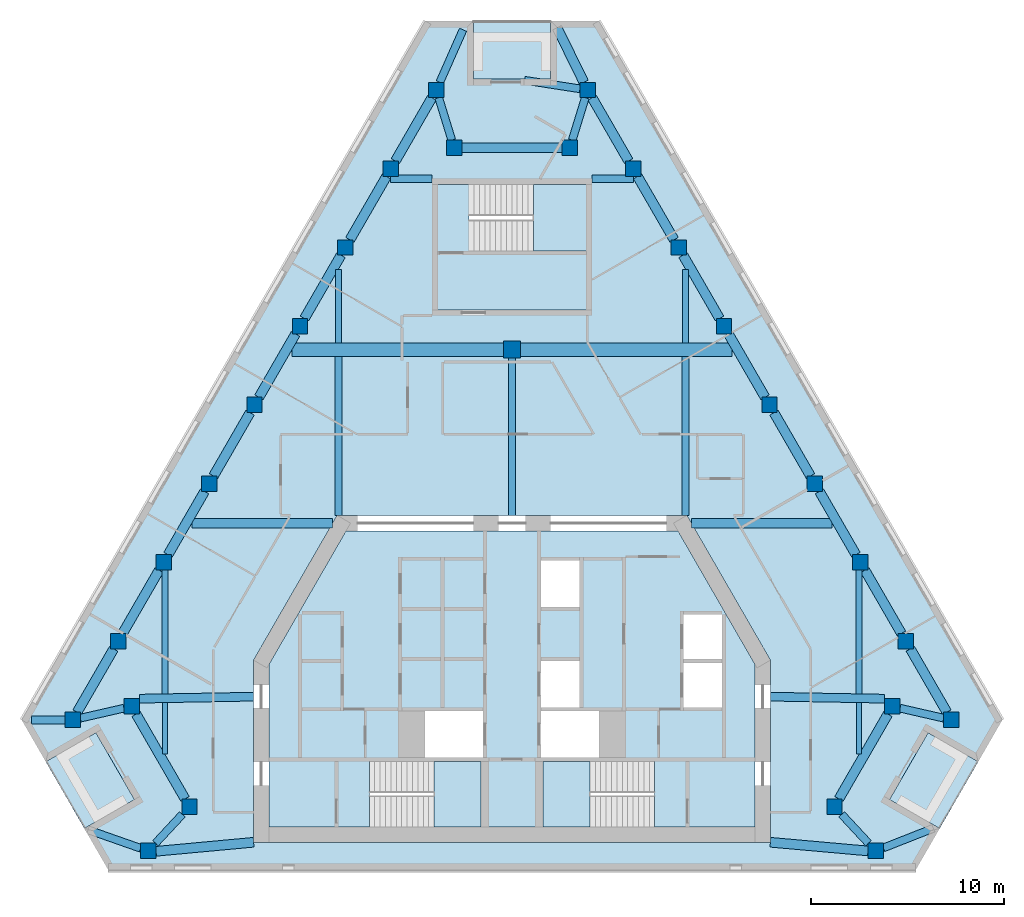
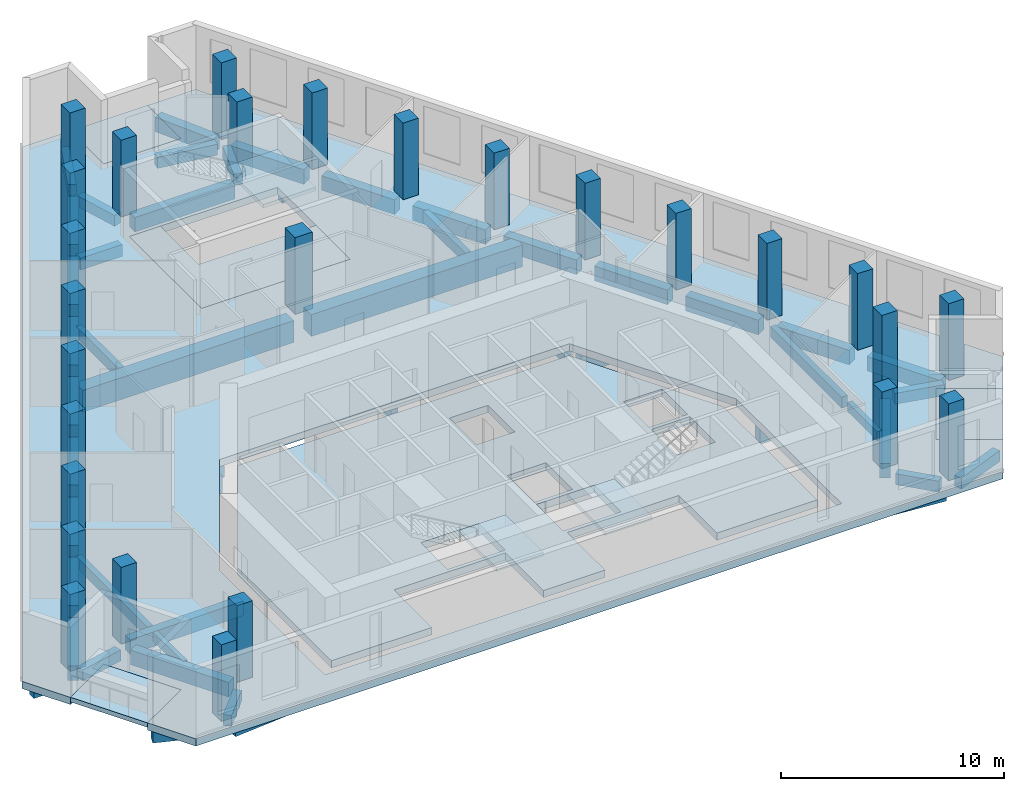
# One storey, part 1 of 9: 50 beams, 27 columns, 9 slabs, 3 elements without a shape of their own.
"""IFC4 building model written with IfcOpenShell, lengths in metres."""

from ifc_helpers import new_model, si_unit, direction, frame, origin, origin_2d, place, context, subcontext, project, spatial, polyline, rectangle, outline, extrude, material, layer, layer_set, material_profile, profile_set, type_object, element, aggregate, save


model = new_model("IFC4")

# Units and contexts
model_context = context("Model", 3, precision=1e-05, world=origin(), true_north=direction((0.0, 1.0)))
body_context = subcontext(model_context, "Body", "Model", "MODEL_VIEW")
ifc_project = project(units=[si_unit("LENGTHUNIT", "METRE"), si_unit("AREAUNIT", "SQUARE_METRE"), si_unit("VOLUMEUNIT", "CUBIC_METRE"), si_unit("PLANEANGLEUNIT", "RADIAN"), si_unit("MASSUNIT", "GRAM", prefix="KILO")], contexts=[model_context])

# Site, building, storey
site_placement = place(None, origin())
site = spatial("IfcSite", under=ifc_project, at=site_placement, CompositionType="ELEMENT")
building_placement = place(site_placement, origin())
building = spatial("IfcBuilding", under=site, at=building_placement, Name="Fogline Exchange Tower", CompositionType="ELEMENT")
storey_placement = place(building_placement, frame((0.0, 0.0, 283.5)))
storey = spatial("IfcBuildingStorey", under=building, at=storey_placement, Name="L64", CompositionType="ELEMENT", Elevation=283.5)

# Columns
ifc_material_1 = material(Name="Concrete C60", Category="concrete")
ifc_material_profile_1 = material_profile(ifc_material_1, rectangle(XDim=0.89990234375, YDim=0.89990234375, at=origin_2d()), Name="RC 900x900")
ifc_profile_set_1 = profile_set([ifc_material_profile_1], Name="Concrete C60")
column_type_1 = type_object("IfcColumnType", Name="C06", PredefinedType="COLUMN", material=ifc_profile_set_1)
column_placement = place(storey_placement, frame((0.0, 27.0, 0.0), z_axis=(0.0, 0.0, 1.0), x_axis=(1.0, 0.0, 0.0)))
element("IfcColumn", 1, at=column_placement, inside=storey, type_object=column_type_1, Name="IC-0-27", PredefinedType="COLUMN", context=body_context, shape_type="SweptSolid", body=[
    extrude(rectangle(XDim=0.89990234375, YDim=0.89990234375, at=origin_2d()), origin(), (0.0, 0.0, 1.0), 4.199951171875),
])
ifc_material_profile_2 = material_profile(ifc_material_1, rectangle(XDim=0.800048828125, YDim=0.800048828125, at=origin_2d()), Name="RC 800x800")
ifc_profile_set_2 = profile_set([ifc_material_profile_2], Name="Concrete C60")
column_type_2 = type_object("IfcColumnType", Name="C07", PredefinedType="COLUMN", material=ifc_profile_set_2)
for number, where, z_axis, x_axis, name in (
    (2, (-22.7802734375, 7.794189453125, 0.0), (0.0, 0.0, 1.0), (1.0, 0.0, 0.0), "SW-a"),
    (3, (-19.720947265625, 8.4951171875, 0.0), (0.0, 0.0, 1.0), (1.0, 0.0, 0.0), "SW-p4"),
    (4, (-16.720947265625, 3.299072265625, 0.0), (0.0, 0.0, 1.0), (1.0, 0.0, 0.0), "SW-p3"),
    (5, (-18.857666015625, 1.0, 0.0), (0.0, 0.0, 1.0), (1.0, 0.0, 0.0), "SW-b"),
    (6, (18.857666015625, 1.0, 0.0), (0.0, 0.0, 1.0), (1.0, 0.0, 0.0), "SE-a"),
    (7, (16.720947265625, 3.299072265625, 0.0), (0.0, 0.0, 1.0), (1.0, 0.0, 0.0), "SE-p4"),
    (8, (19.720947265625, 8.4951171875, 0.0), (0.0, 0.0, 1.0), (1.0, 0.0, 0.0), "SE-p3"),
    (9, (22.7802734375, 7.794189453125, 0.0), (0.0, 0.0, 1.0), (1.0, 0.0, 0.0), "SE-b"),
    (10, (20.423095703125, 11.876953125, 0.0), (0.0, 0.0, 1.0), (1.0, 0.0, 0.0), "E1"),
    (11, (18.06591796875, 15.959716796875, 0.0), (0.0, 0.0, 1.0), (1.0, 0.0, 0.0), "E2"),
    (12, (15.708740234375, 20.04248046875, 0.0), (0.0, 0.0, 1.0), (1.0, 0.0, 0.0), "E3"),
    (13, (13.3515625, 24.12548828125, 0.0), (0.0, 0.0, 1.0), (1.0, 0.0, 0.0), "E4"),
    (14, (10.994384765625, 28.208251953125, 0.0), (0.0, 0.0, 1.0), (1.0, 0.0, 0.0), "E5"),
    (15, (8.63720703125, 32.291015625, 0.0), (0.0, 0.0, 1.0), (1.0, 0.0, 0.0), "E6"),
    (16, (6.27978515625, 36.373779296875, 0.0), (0.0, 0.0, 1.0), (1.0, 0.0, 0.0), "E7"),
    (17, (3.922607421875, 40.456787109375, 0.0), (0.0, 0.0, 1.0), (1.0, 0.0, 0.0), "N-a"),
    (18, (3.0, 37.456787109375, 0.0), (0.0, 0.0, 1.0), (1.0, 0.0, 0.0), "N-p4"),
    (19, (-3.0, 37.456787109375, 0.0), (0.0, 0.0, 1.0), (1.0, 0.0, 0.0), "N-p3"),
    (20, (-3.922607421875, 40.456787109375, 0.0), (0.0, 0.0, 1.0), (1.0, 0.0, 0.0), "N-b"),
    (21, (-6.27978515625, 36.373779296875, 0.0), (0.0, 0.0, 1.0), (1.0, 0.0, 0.0), "W1"),
    (22, (-8.63720703125, 32.291015625, 0.0), (0.0, 0.0, 1.0), (1.0, 0.0, 0.0), "W2"),
    (23, (-10.994384765625, 28.208251953125, 0.0), (0.0, 0.0, 1.0), (1.0, 0.0, 0.0), "W3"),
    (24, (-13.3515625, 24.12548828125, 0.0), (0.0, 0.0, 1.0), (1.0, 0.0, 0.0), "W4"),
    (25, (-15.708740234375, 20.04248046875, 0.0), (0.0, 0.0, 1.0), (1.0, 0.0, 0.0), "W5"),
    (26, (-18.06591796875, 15.959716796875, 0.0), (0.0, 0.0, 1.0), (1.0, 0.0, 0.0), "W6"),
    (27, (-20.423095703125, 11.876953125, 0.0), (0.0, 0.0, 1.0), (1.0, 0.0, 0.0), "W7"),
):
    element("IfcColumn", number, at=place(storey_placement, frame(where, z_axis=z_axis, x_axis=x_axis)), inside=storey, type_object=column_type_2, Name=name, PredefinedType="COLUMN", context=body_context, shape_type="SweptSolid", body=[
        extrude(rectangle(XDim=0.800048828125, YDim=0.800048828125, at=origin_2d()), origin(), (0.0, 0.0, 1.0), 4.199951171875),
    ])

# Beams
ifc_material_2 = material(Name="Concrete C40", Category="concrete")
ifc_material_profile_3 = material_profile(ifc_material_2, rectangle(XDim=0.300048828125, YDim=0.60009765625, at=origin_2d()), Name="RC 300x600")
ifc_profile_set_3 = profile_set([ifc_material_profile_3], Name="Concrete C40")
beam_type_1 = type_object("IfcBeamType", Name="B06", PredefinedType="BEAM", material=ifc_profile_set_3)
beam_1_placement = place(storey_placement, frame((-18.0, 9.1435546875, -0.699951171875), z_axis=(0.0, 1.0, 0.0), x_axis=(-1.0, 0.0, 0.0)))
element("IfcBeam", 28, at=beam_1_placement, inside=storey, type_object=beam_type_1, Name="SB002", PredefinedType="BEAM", context=body_context, shape_type="SweptSolid", body=[
    extrude(rectangle(XDim=0.300048828125, YDim=0.60009765625, at=origin_2d()), origin(), (0.0, 0.0, 1.0), 6.416259765625),
])
for number, where, z_axis, x_axis, name in (
    (29, (-9.0, 27.35009765625, -0.699951171875), (0.0, 1.0, 0.0), (-1.0, 0.0, 0.0), "SB004"),
    (30, (9.0, 27.35009765625, -0.699951171875), (0.0, 1.0, 0.0), (-1.0, 0.0, 0.0), "SB007"),
):
    element("IfcBeam", number, at=place(storey_placement, frame(where, z_axis=z_axis, x_axis=x_axis)), inside=storey, type_object=beam_type_1, Name=name, PredefinedType="BEAM", context=body_context, shape_type="SweptSolid", body=[
        extrude(rectangle(XDim=0.300048828125, YDim=0.60009765625, at=origin_2d()), origin(), (0.0, 0.0, 1.0), 3.812255859375),
    ])
beam_2_placement = place(storey_placement, frame((18.0, 9.1435546875, -0.699951171875), z_axis=(0.0, 1.0, 0.0), x_axis=(-1.0, 0.0, 0.0)))
element("IfcBeam", 31, at=beam_2_placement, inside=storey, type_object=beam_type_1, Name="SB009", PredefinedType="BEAM", context=body_context, shape_type="SweptSolid", body=[
    extrude(rectangle(XDim=0.300048828125, YDim=0.60009765625, at=origin_2d()), origin(), (0.0, 0.0, 1.0), 6.416259765625),
])
ifc_material_profile_4 = material_profile(ifc_material_2, rectangle(XDim=0.25, YDim=0.5, at=origin_2d()), Name="RC 250x500")
ifc_profile_set_4 = profile_set([ifc_material_profile_4], Name="Concrete C40")
beam_type_2 = type_object("IfcBeamType", Name="B08", PredefinedType="BEAM", material=ifc_profile_set_4)
for number, where, z_axis, x_axis, name in (
    (32, (-18.0, 6.014404296875, -0.64990234375), (0.0, 1.0, 0.0), (-1.0, 0.0, 0.0), "SB001"),
    (33, (18.0, 6.014404296875, -0.64990234375), (0.0, 1.0, 0.0), (-1.0, 0.0, 0.0), "SB008"),
):
    element("IfcBeam", number, at=place(storey_placement, frame(where, z_axis=z_axis, x_axis=x_axis)), inside=storey, type_object=beam_type_2, Name=name, PredefinedType="BEAM", context=body_context, shape_type="SweptSolid", body=[
        extrude(rectangle(XDim=0.25, YDim=0.5, at=origin_2d()), origin(), (0.0, 0.0, 1.0), 2.67919921875),
    ])
ifc_material_profile_5 = material_profile(ifc_material_2, rectangle(XDim=0.5, YDim=0.800048828125, at=origin_2d()), Name="RC 500x800")
ifc_profile_set_5 = profile_set([ifc_material_profile_5], Name="Concrete C40")
beam_type_3 = type_object("IfcBeamType", Name="B10", PredefinedType="BEAM", material=ifc_profile_set_5)
beam_3_placement = place(storey_placement, frame((-19.489990234375, 8.09521484375, -0.800048828125), z_axis=(0.499987508774, -0.866032615477, 0.0), x_axis=(0.866032615477, 0.499987508774, 0.0)))
element("IfcBeam", 34, at=beam_3_placement, inside=storey, type_object=beam_type_3, Name="RB002", PredefinedType="BEAM", context=body_context, shape_type="SweptSolid", body=[
    extrude(rectangle(XDim=0.5, YDim=0.800048828125, at=origin_2d()), origin(), (0.0, 0.0, 1.0), 5.076416015625),
])
beam_4_placement = place(storey_placement, frame((-18.457763671875, 0.981689453125, -0.800048828125), z_axis=(0.995741736268, 0.092186737952, 0.0), x_axis=(-0.092186737952, 0.995741736268, 0.0)))
element("IfcBeam", 35, at=beam_4_placement, inside=storey, type_object=beam_type_3, Name="RB004", PredefinedType="BEAM", context=body_context, shape_type="SweptSolid", body=[
    extrude(rectangle(XDim=0.5, YDim=0.800048828125, at=origin_2d()), origin(), (0.0, 0.0, 1.0), 5.07958984375),
])
beam_5_placement = place(storey_placement, frame((13.39990234375, 1.449951171875, -0.800048828125), z_axis=(0.996066324908, -0.088610814153, 0.0), x_axis=(0.088610814153, 0.996066324908, 0.0)))
element("IfcBeam", 36, at=beam_5_placement, inside=storey, type_object=beam_type_3, Name="RB005", PredefinedType="BEAM", context=body_context, shape_type="SweptSolid", body=[
    extrude(rectangle(XDim=0.5, YDim=0.800048828125, at=origin_2d()), origin(), (0.0, 0.0, 1.0), 5.077880859375),
])
beam_6_placement = place(storey_placement, frame((16.951904296875, 3.698974609375, -0.800048828125), z_axis=(0.499987508774, 0.866032615477, 0.0), x_axis=(-0.866032615477, 0.499987508774, 0.0)))
element("IfcBeam", 37, at=beam_6_placement, inside=storey, type_object=beam_type_3, Name="RB007", PredefinedType="BEAM", context=body_context, shape_type="SweptSolid", body=[
    extrude(rectangle(XDim=0.5, YDim=0.800048828125, at=origin_2d()), origin(), (0.0, 0.0, 1.0), 5.076416015625),
])
beam_7_placement = place(storey_placement, frame((22.54931640625, 8.194091796875, -0.800048828125), z_axis=(-0.499969613651, 0.86604294664, 0.0), x_axis=(-0.86604294664, -0.499969613651, 0.0)))
element("IfcBeam", 38, at=beam_7_placement, inside=storey, type_object=beam_type_3, Name="RB009", PredefinedType="BEAM", context=body_context, shape_type="SweptSolid", body=[
    extrude(rectangle(XDim=0.5, YDim=0.800048828125, at=origin_2d()), origin(), (0.0, 0.0, 1.0), 3.790771484375),
])
for number, where, z_axis, x_axis, name in (
    (39, (20.192138671875, 12.277099609375, -0.800048828125), (-0.499997501644, 0.866026846206, 0.0), (-0.866026846206, -0.499997501644, 0.0), "RB010"),
    (40, (17.8349609375, 16.35986328125, -0.800048828125), (-0.499997501644, 0.866026846206, 0.0), (-0.866026846206, -0.499997501644, 0.0), "RB011"),
    (41, (15.477783203125, 20.442626953125, -0.800048828125), (-0.499997501644, 0.866026846206, 0.0), (-0.866026846206, -0.499997501644, 0.0), "RB012"),
):
    element("IfcBeam", number, at=place(storey_placement, frame(where, z_axis=z_axis, x_axis=x_axis)), inside=storey, type_object=beam_type_3, Name=name, PredefinedType="BEAM", context=body_context, shape_type="SweptSolid", body=[
        extrude(rectangle(XDim=0.5, YDim=0.800048828125, at=origin_2d()), origin(), (0.0, 0.0, 1.0), 3.79052734375),
    ])
for number, where, z_axis, x_axis, name in (
    (42, (13.12060546875, 24.525390625, -0.800048828125), (-0.500045805297, 0.865998956469, 0.0), (-0.865998956469, -0.500045805297, 0.0), "RB013"),
    (43, (10.76318359375, 28.608154296875, -0.800048828125), (-0.499969613651, 0.86604294664, 0.0), (-0.86604294664, -0.499969613651, 0.0), "RB014"),
    (44, (8.406005859375, 32.69091796875, -0.800048828125), (-0.499969613651, 0.86604294664, 0.0), (-0.86604294664, -0.499969613651, 0.0), "RB015"),
    (45, (6.048828125, 36.773681640625, -0.800048828125), (-0.499969613651, 0.86604294664, 0.0), (-0.86604294664, -0.499969613651, 0.0), "RB016"),
):
    element("IfcBeam", number, at=place(storey_placement, frame(where, z_axis=z_axis, x_axis=x_axis)), inside=storey, type_object=beam_type_3, Name=name, PredefinedType="BEAM", context=body_context, shape_type="SweptSolid", body=[
        extrude(rectangle(XDim=0.5, YDim=0.800048828125, at=origin_2d()), origin(), (0.0, 0.0, 1.0), 3.790771484375),
    ])
beam_8_placement = place(storey_placement, frame((2.60009765625, 37.456787109375, -0.800048828125), z_axis=(-1.0, 0.0, 0.0), x_axis=(0.0, -1.0, 0.0)))
element("IfcBeam", 46, at=beam_8_placement, inside=storey, type_object=beam_type_3, Name="RB018", PredefinedType="BEAM", context=body_context, shape_type="SweptSolid", body=[
    extrude(rectangle(XDim=0.5, YDim=0.800048828125, at=origin_2d()), origin(), (0.0, 0.0, 1.0), 5.2001953125),
])
for number, where, z_axis, x_axis, name in (
    (47, (-4.153564453125, 40.056640625, -0.800048828125), (-0.499969613651, -0.86604294664, 0.0), (0.86604294664, -0.499969613651, 0.0), "RB020"),
    (48, (-6.5107421875, 35.973876953125, -0.800048828125), (-0.499969613651, -0.86604294664, 0.0), (0.86604294664, -0.499969613651, 0.0), "RB021"),
    (49, (-8.867919921875, 31.89111328125, -0.800048828125), (-0.499969613651, -0.86604294664, 0.0), (0.86604294664, -0.499969613651, 0.0), "RB022"),
    (50, (-11.22509765625, 27.80810546875, -0.800048828125), (-0.500045805297, -0.865998956469, 0.0), (0.865998956469, -0.500045805297, 0.0), "RB023"),
):
    element("IfcBeam", number, at=place(storey_placement, frame(where, z_axis=z_axis, x_axis=x_axis)), inside=storey, type_object=beam_type_3, Name=name, PredefinedType="BEAM", context=body_context, shape_type="SweptSolid", body=[
        extrude(rectangle(XDim=0.5, YDim=0.800048828125, at=origin_2d()), origin(), (0.0, 0.0, 1.0), 3.790771484375),
    ])
for number, where, z_axis, x_axis, name in (
    (51, (-13.58251953125, 23.725341796875, -0.800048828125), (-0.499997501644, -0.866026846206, 0.0), (0.866026846206, -0.499997501644, 0.0), "RB024"),
    (52, (-15.939697265625, 19.642578125, -0.800048828125), (-0.499997501644, -0.866026846206, 0.0), (0.866026846206, -0.499997501644, 0.0), "RB025"),
    (53, (-18.296875, 15.559814453125, -0.800048828125), (-0.499997501644, -0.866026846206, 0.0), (0.866026846206, -0.499997501644, 0.0), "RB026"),
):
    element("IfcBeam", number, at=place(storey_placement, frame(where, z_axis=z_axis, x_axis=x_axis)), inside=storey, type_object=beam_type_3, Name=name, PredefinedType="BEAM", context=body_context, shape_type="SweptSolid", body=[
        extrude(rectangle(XDim=0.5, YDim=0.800048828125, at=origin_2d()), origin(), (0.0, 0.0, 1.0), 3.79052734375),
    ])
beam_9_placement = place(storey_placement, frame((-20.654052734375, 11.47705078125, -0.800048828125), z_axis=(-0.499969613651, -0.86604294664, 0.0), x_axis=(0.86604294664, -0.499969613651, 0.0)))
element("IfcBeam", 54, at=beam_9_placement, inside=storey, type_object=beam_type_3, Name="RB027", PredefinedType="BEAM", context=body_context, shape_type="SweptSolid", body=[
    extrude(rectangle(XDim=0.5, YDim=0.800048828125, at=origin_2d()), origin(), (0.0, 0.0, 1.0), 3.790771484375),
])
beam_10_placement = place(storey_placement, frame((3.726318359375, 40.856689453125, -0.800048828125), z_axis=(-0.440467464313, 0.897768574234, 0.0), x_axis=(-0.897768574234, -0.440467464313, 0.0)))
element("IfcBeam", 55, at=beam_10_placement, inside=storey, type_object=beam_type_3, Name="SP028", PredefinedType="BEAM", context=body_context, shape_type="SweptSolid", body=[
    extrude(rectangle(XDim=0.5, YDim=0.800048828125, at=origin_2d()), origin(), (0.0, 0.0, 1.0), 3.147216796875),
])
ifc_material_profile_6 = material_profile(ifc_material_2, rectangle(XDim=0.39990234375, YDim=0.60009765625, at=origin_2d()), Name="RC 400x600")
ifc_profile_set_6 = profile_set([ifc_material_profile_6], Name="Concrete C40")
beam_type_4 = type_object("IfcBeamType", Name="B11", PredefinedType="BEAM", material=ifc_profile_set_6)
beam_11_placement = place(storey_placement, frame((-22.38037109375, 7.885986328125, -0.699951171875), z_axis=(0.974753812703, 0.223282342834, 0.0), x_axis=(-0.223282342834, 0.974753812703, 0.0)))
element("IfcBeam", 56, at=beam_11_placement, inside=storey, type_object=beam_type_4, Name="RB001", PredefinedType="BEAM", context=body_context, shape_type="SweptSolid", body=[
    extrude(rectangle(XDim=0.39990234375, YDim=0.60009765625, at=origin_2d()), origin(), (0.0, 0.0, 1.0), 2.318115234375),
])
for number, where, z_axis, x_axis, name in (
    (57, (-17.0927734375, 2.89892578125, -0.699951171875), (-0.680743909802, -0.732521487239, 0.0), (0.732521487239, -0.680743909802, 0.0), "RB003"),
    (58, (18.48583984375, 1.39990234375, -0.699951171875), (-0.680743909802, 0.732521487239, 0.0), (-0.732521487239, -0.680743909802, 0.0), "RB006"),
):
    element("IfcBeam", number, at=place(storey_placement, frame(where, z_axis=z_axis, x_axis=x_axis)), inside=storey, type_object=beam_type_4, Name=name, PredefinedType="BEAM", context=body_context, shape_type="SweptSolid", body=[
        extrude(rectangle(XDim=0.39990234375, YDim=0.60009765625, at=origin_2d()), origin(), (0.0, 0.0, 1.0), 2.04638671875),
    ])
beam_12_placement = place(storey_placement, frame((20.120849609375, 8.403564453125, -0.699951171875), z_axis=(0.974753812703, -0.223282342834, 0.0), x_axis=(0.223282342834, 0.974753812703, 0.0)))
element("IfcBeam", 59, at=beam_12_placement, inside=storey, type_object=beam_type_4, Name="RB008", PredefinedType="BEAM", context=body_context, shape_type="SweptSolid", body=[
    extrude(rectangle(XDim=0.39990234375, YDim=0.60009765625, at=origin_2d()), origin(), (0.0, 0.0, 1.0), 2.318115234375),
])
for number, where, z_axis, x_axis, name in (
    (60, (3.799560546875, 40.056640625, -0.699951171875), (-0.293929314998, -0.955827158949, 0.0), (0.955827158949, -0.293929314998, 0.0), "RB017"),
    (61, (-3.123046875, 37.856689453125, -0.699951171875), (-0.293929314998, 0.955827158949, 0.0), (-0.955827158949, -0.293929314998, 0.0), "RB019"),
):
    element("IfcBeam", number, at=place(storey_placement, frame(where, z_axis=z_axis, x_axis=x_axis)), inside=storey, type_object=beam_type_4, Name=name, PredefinedType="BEAM", context=body_context, shape_type="SweptSolid", body=[
        extrude(rectangle(XDim=0.39990234375, YDim=0.60009765625, at=origin_2d()), origin(), (0.0, 0.0, 1.0), 2.301513671875),
    ])
beam_13_placement = place(storey_placement, frame((-3.74560546875, 40.856689453125, -0.699951171875), z_axis=(0.405050498391, 0.914294314624, 0.0), x_axis=(-0.914294314624, 0.405050498391, 0.0)))
element("IfcBeam", 62, at=beam_13_placement, inside=storey, type_object=beam_type_4, Name="SP029", PredefinedType="BEAM", context=body_context, shape_type="SweptSolid", body=[
    extrude(rectangle(XDim=0.39990234375, YDim=0.60009765625, at=origin_2d()), origin(), (0.0, 0.0, 1.0), 2.97802734375),
])
beam_14_placement = place(storey_placement, frame((-19.2578125, 1.14013671875, -0.699951171875), z_axis=(-0.943697611432, 0.330809338105, 0.0), x_axis=(-0.330809338105, -0.943697611432, 0.0)))
element("IfcBeam", 63, at=beam_14_placement, inside=storey, type_object=beam_type_4, Name="SP030", PredefinedType="BEAM", context=body_context, shape_type="SweptSolid", body=[
    extrude(rectangle(XDim=0.39990234375, YDim=0.60009765625, at=origin_2d()), origin(), (0.0, 0.0, 1.0), 2.890869140625),
])
beam_15_placement = place(storey_placement, frame((19.2578125, 1.157470703125, -0.699951171875), z_axis=(0.930478197555, 0.366347272236, 0.0), x_axis=(-0.366347272236, 0.930478197555, 0.0)))
element("IfcBeam", 64, at=beam_15_placement, inside=storey, type_object=beam_type_4, Name="SP031", PredefinedType="BEAM", context=body_context, shape_type="SweptSolid", body=[
    extrude(rectangle(XDim=0.39990234375, YDim=0.60009765625, at=origin_2d()), origin(), (0.0, 0.0, 1.0), 2.7822265625),
])
beam_16_placement = place(storey_placement, frame((3.522705078125, 40.518310546875, -0.699951171875), z_axis=(-0.988292675086, 0.152569945834, 0.0), x_axis=(-0.152569945834, -0.988292675086, 0.0)))
element("IfcBeam", 65, at=beam_16_placement, inside=storey, type_object=beam_type_4, Name="SP032", PredefinedType="BEAM", context=body_context, shape_type="SweptSolid", body=[
    extrude(rectangle(XDim=0.39990234375, YDim=0.60009765625, at=origin_2d()), origin(), (0.0, 0.0, 1.0), 2.89794921875),
])
beam_17_placement = place(storey_placement, frame((-23.180419921875, 7.794189453125, -0.699951171875), z_axis=(-1.0, 0.0, 0.0), x_axis=(0.0, -1.0, 0.0)))
element("IfcBeam", 66, at=beam_17_placement, inside=storey, type_object=beam_type_4, Name="SP033", PredefinedType="BEAM", context=body_context, shape_type="SweptSolid", body=[
    extrude(rectangle(XDim=0.39990234375, YDim=0.60009765625, at=origin_2d()), origin(), (0.0, 0.0, 1.0), 1.744140625),
])
ifc_material_profile_7 = material_profile(ifc_material_2, rectangle(XDim=0.39990234375, YDim=0.64990234375, at=origin_2d()), Name="RC 400x650")
ifc_profile_set_7 = profile_set([ifc_material_profile_7], Name="Concrete C40")
beam_type_5 = type_object("IfcBeamType", Name="B13", PredefinedType="BEAM", material=ifc_profile_set_7)
for number, where, z_axis, x_axis, name in (
    (67, (-6.308349609375, 35.85693359375, -0.72509765625), (1.0, 0.0, 0.0), (0.0, 1.0, 0.0), "GB007"),
    (68, (4.14990234375, 35.85693359375, -0.72509765625), (1.0, 0.0, 0.0), (0.0, 1.0, 0.0), "GB008"),
):
    element("IfcBeam", number, at=place(storey_placement, frame(where, z_axis=z_axis, x_axis=x_axis)), inside=storey, type_object=beam_type_5, Name=name, PredefinedType="BEAM", context=body_context, shape_type="SweptSolid", body=[
        extrude(rectangle(XDim=0.39990234375, YDim=0.64990234375, at=origin_2d()), origin(), (0.0, 0.0, 1.0), 2.158447265625),
    ])
ifc_material_profile_8 = material_profile(ifc_material_2, rectangle(XDim=0.5, YDim=0.949951171875, at=origin_2d()), Name="RC 500x950")
ifc_profile_set_8 = profile_set([ifc_material_profile_8], Name="Concrete C40")
beam_type_6 = type_object("IfcBeamType", Name="B14", PredefinedType="BEAM", material=ifc_profile_set_8)
for number, where, z_axis, x_axis, name in (
    (69, (-16.599365234375, 18.0, -0.875), (1.0, 0.0, 0.0), (0.0, 1.0, 0.0), "GB003"),
    (70, (9.296142578125, 18.0, -0.875), (1.0, 0.0, 0.0), (0.0, 1.0, 0.0), "GB004"),
):
    element("IfcBeam", number, at=place(storey_placement, frame(where, z_axis=z_axis, x_axis=x_axis)), inside=storey, type_object=beam_type_6, Name=name, PredefinedType="BEAM", context=body_context, shape_type="SweptSolid", body=[
        extrude(rectangle(XDim=0.5, YDim=0.949951171875, at=origin_2d()), origin(), (0.0, 0.0, 1.0), 7.30322265625),
    ])
ifc_material_profile_9 = material_profile(ifc_material_2, rectangle(XDim=0.35009765625, YDim=0.64990234375, at=origin_2d()), Name="RC 350x650")
ifc_profile_set_9 = profile_set([ifc_material_profile_9], Name="Concrete C40")
beam_type_7 = type_object("IfcBeamType", Name="B16", PredefinedType="BEAM", material=ifc_profile_set_9)
beam_18_placement = place(storey_placement, frame((-9.0, 18.39990234375, -0.72509765625), z_axis=(0.0, 1.0, 0.0), x_axis=(-1.0, 0.0, 0.0)))
element("IfcBeam", 71, at=beam_18_placement, inside=storey, type_object=beam_type_7, Name="SB003", PredefinedType="BEAM", context=body_context, shape_type="SweptSolid", body=[
    extrude(rectangle(XDim=0.35009765625, YDim=0.64990234375, at=origin_2d()), origin(), (0.0, 0.0, 1.0), 8.25),
])
beam_19_placement = place(storey_placement, frame((0.0, 18.39990234375, -0.72509765625), z_axis=(0.0, 1.0, 0.0), x_axis=(-1.0, 0.0, 0.0)))
element("IfcBeam", 72, at=beam_19_placement, inside=storey, type_object=beam_type_7, Name="SB005", PredefinedType="BEAM", context=body_context, shape_type="SweptSolid", body=[
    extrude(rectangle(XDim=0.35009765625, YDim=0.64990234375, at=origin_2d()), origin(), (0.0, 0.0, 1.0), 8.150146484375),
])
beam_20_placement = place(storey_placement, frame((9.0, 18.39990234375, -0.72509765625), z_axis=(0.0, 1.0, 0.0), x_axis=(-1.0, 0.0, 0.0)))
element("IfcBeam", 73, at=beam_20_placement, inside=storey, type_object=beam_type_7, Name="SB006", PredefinedType="BEAM", context=body_context, shape_type="SweptSolid", body=[
    extrude(rectangle(XDim=0.35009765625, YDim=0.64990234375, at=origin_2d()), origin(), (0.0, 0.0, 1.0), 8.25),
])
ifc_material_profile_10 = material_profile(ifc_material_2, rectangle(XDim=0.699951171875, YDim=1.199951171875, at=origin_2d()), Name="RC 700x1200")
ifc_profile_set_10 = profile_set([ifc_material_profile_10], Name="Concrete C40")
beam_type_8 = type_object("IfcBeamType", Name="B17", PredefinedType="BEAM", material=ifc_profile_set_10)
for number, where, z_axis, x_axis, name in (
    (74, (-11.4033203125, 27.0, -1.0), (1.0, 0.0, 0.0), (0.0, 1.0, 0.0), "GB005"),
    (75, (0.449951171875, 27.0, -1.0), (1.0, 0.0, 0.0), (0.0, 1.0, 0.0), "GB006"),
):
    element("IfcBeam", number, at=place(storey_placement, frame(where, z_axis=z_axis, x_axis=x_axis)), inside=storey, type_object=beam_type_8, Name=name, PredefinedType="BEAM", context=body_context, shape_type="SweptSolid", body=[
        extrude(rectangle(XDim=0.699951171875, YDim=1.199951171875, at=origin_2d()), origin(), (0.0, 0.0, 1.0), 10.953369140625),
    ])
ifc_material_profile_11 = material_profile(ifc_material_2, rectangle(XDim=0.449951171875, YDim=0.800048828125, at=origin_2d()), Name="RC 450x800")
ifc_profile_set_11 = profile_set([ifc_material_profile_11], Name="Concrete C40")
beam_type_9 = type_object("IfcBeamType", Name="B18", PredefinedType="BEAM", material=ifc_profile_set_11)
for number, where, z_axis, x_axis, name in (
    (76, (-19.32080078125, 8.895263671875, -0.800048828125), (0.9998435817, 0.017686495817, 0.0), (-0.017686495817, 0.9998435817, 0.0), "GB001"),
    (77, (13.39990234375, 9.0, -0.800048828125), (0.9998435817, -0.017686495817, 0.0), (0.017686495817, 0.9998435817, 0.0), "GB002"),
):
    element("IfcBeam", number, at=place(storey_placement, frame(where, z_axis=z_axis, x_axis=x_axis)), inside=storey, type_object=beam_type_9, Name=name, PredefinedType="BEAM", context=body_context, shape_type="SweptSolid", body=[
        extrude(rectangle(XDim=0.449951171875, YDim=0.800048828125, at=origin_2d()), origin(), (0.0, 0.0, 1.0), 5.921875),
    ])

# Slabs
ifc_layer_1 = layer(ifc_material_2, 0.25)
ifc_layer_set_1 = layer_set([ifc_layer_1], Name="DK1")
slab_type_1 = type_object("IfcSlabType", Name="DK1", PredefinedType="FLOOR", material=ifc_layer_set_1)
slab_1_placement = place(storey_placement, frame((0.0, 0.0, -0.25)))
element("IfcSlab", 78, at=slab_1_placement, inside=storey, type_object=slab_type_1, Name="Balcony L64 SW", PredefinedType="FLOOR", context=body_context, shape_type="SweptSolid", body=[
    extrude(outline(polyline([(-24.174560546875, 5.629150390625), (-22.174560546875, 2.1650390625), (-19.576416015625, 3.6650390625), (-21.576416015625, 7.129150390625), (-24.174560546875, 5.629150390625)])), origin(), (0.0, 0.0, 1.0), 0.25),
])
slab_2_placement = place(storey_placement, frame((0.0, 0.0, -0.25)))
element("IfcSlab", 79, at=slab_2_placement, inside=storey, type_object=slab_type_1, Name="Balcony L64 SE", PredefinedType="FLOOR", context=body_context, shape_type="SweptSolid", body=[
    extrude(outline(polyline([(22.174560546875, 2.1650390625), (24.174560546875, 5.629150390625), (21.576416015625, 7.129150390625), (19.576416015625, 3.6650390625), (22.174560546875, 2.1650390625)])), origin(), (0.0, 0.0, 1.0), 0.25),
])
slab_3_placement = place(storey_placement, frame((0.0, 0.0, -0.25)))
element("IfcSlab", 80, at=slab_3_placement, inside=storey, type_object=slab_type_1, Name="Balcony L64 N", PredefinedType="FLOOR", context=body_context, shape_type="SweptSolid", body=[
    extrude(outline(polyline([(2.0, 44.03662109375), (-2.0, 44.03662109375), (-2.0, 41.03662109375), (2.0, 41.03662109375), (2.0, 44.03662109375)])), origin(), (0.0, 0.0, 1.0), 0.25),
])
ifc_layer_2 = layer(ifc_material_2, 0.39990234375)
ifc_layer_set_2 = layer_set([ifc_layer_2], Name="S03")
slab_type_2 = type_object("IfcSlabType", Name="S03", PredefinedType="FLOOR", material=ifc_layer_set_2)
slab_4_placement = place(storey_placement, frame((0.0, 0.0, -0.39990234375)))
element("IfcSlab", 81, at=slab_4_placement, inside=storey, type_object=slab_type_2, Name="SLAB L64", PredefinedType="FLOOR", context=body_context, shape_type="SweptSolid", body=[
    extrude(outline(polyline([(-2.0, 44.03662109375), (-4.5, 44.03662109375), (-25.424560546875, 7.794189453125), (-24.174560546875, 5.629150390625), (-21.576416015625, 7.129150390625), (-19.576416015625, 3.6650390625), (-22.174560546875, 2.1650390625), (-20.924560546875, 0.0), (20.924560546875, 0.0), (22.174560546875, 2.1650390625), (19.576416015625, 3.6650390625), (21.576416015625, 7.129150390625), (24.174560546875, 5.629150390625), (25.424560546875, 7.794189453125), (4.5, 44.03662109375), (2.0, 44.03662109375), (2.0, 41.03662109375), (-2.0, 41.03662109375), (-2.0, 44.03662109375)]), holes=[polyline([(13.39990234375, 10.891845703125), (13.39990234375, 1.449951171875), (-13.39990234375, 1.449951171875), (-13.39990234375, 10.891845703125), (-9.065185546875, 18.39990234375), (9.065185546875, 18.39990234375), (13.39990234375, 10.891845703125)]), polyline([(3.85009765625, 35.556884765625), (3.85009765625, 29.056884765625), (-3.85009765625, 29.056884765625), (-3.85009765625, 35.556884765625), (3.85009765625, 35.556884765625)])]), origin(), (0.0, 0.0, 1.0), 0.39990234375),
])
slab_5_placement = place(storey_placement, frame((0.0, 0.0, -0.39990234375)))
element("IfcSlab", 82, at=slab_5_placement, inside=storey, type_object=slab_type_2, Name="Core floor slab", PredefinedType="FLOOR", context=body_context, shape_type="SweptSolid", body=[
    extrude(outline(polyline([(-12.60009765625, 2.25), (-12.60009765625, 10.677490234375), (-8.603271484375, 17.60009765625), (8.603271484375, 17.60009765625), (12.60009765625, 10.677490234375), (12.60009765625, 2.25), (7.389892578125, 2.25), (7.389892578125, 5.64990234375), (1.60009765625, 5.64990234375), (1.60009765625, 2.25), (-1.60009765625, 2.25), (-1.60009765625, 5.64990234375), (-7.389892578125, 5.64990234375), (-7.389892578125, 2.25), (-12.60009765625, 2.25)]), holes=[polyline([(-4.5, 8.25), (-4.5, 5.85009765625), (-1.5, 5.85009765625), (-1.5, 8.25), (-4.5, 8.25)]), polyline([(1.5, 8.25), (1.5, 5.85009765625), (4.5, 5.85009765625), (4.5, 8.25), (1.5, 8.25)]), polyline([(8.89990234375, 10.75), (8.89990234375, 8.449951171875), (10.89990234375, 8.449951171875), (10.89990234375, 10.75), (8.89990234375, 10.75)]), polyline([(1.5, 10.85009765625), (1.5, 8.449951171875), (3.5, 8.449951171875), (3.5, 10.85009765625), (1.5, 10.85009765625)]), polyline([(8.89990234375, 13.25), (8.89990234375, 10.949951171875), (10.89990234375, 10.949951171875), (10.89990234375, 13.25), (8.89990234375, 13.25)]), polyline([(1.5, 16.050048828125), (1.5, 13.64990234375), (3.5, 13.64990234375), (3.5, 16.050048828125), (1.5, 16.050048828125)])]), origin(), (0.0, 0.0, 1.0), 0.39990234375),
])
slab_6_placement = place(storey_placement, frame((0.0, 0.0, -0.39990234375)))
element("IfcSlab", 83, at=slab_6_placement, inside=storey, type_object=slab_type_2, Name="Stair enclosure floor slab", PredefinedType="FLOOR", context=body_context, shape_type="SweptSolid", body=[
    extrude(outline(polyline([(3.85009765625, 29.056884765625), (-3.85009765625, 29.056884765625), (-3.85009765625, 35.556884765625), (-2.239990234375, 35.556884765625), (-2.239990234375, 32.10693359375), (3.85009765625, 32.10693359375), (3.85009765625, 29.056884765625)])), origin(), (0.0, 0.0, 1.0), 0.39990234375),
])

# Stair, slab
stair_type = type_object("IfcStairType", Name="STR26-1615", PredefinedType="HALF_TURN_STAIR", material=ifc_material_2)
stair_1_placement = place(storey_placement, origin())
stair_1 = element("IfcStair", 84, at=stair_1_placement, inside=storey, type_object=stair_type, Name="Stair ST1", PredefinedType="HALF_TURN_STAIR")
ifc_layer_3 = layer(ifc_material_2, 0.199951171875)
ifc_layer_set_3 = layer_set([ifc_layer_3], Name="SL200")
slab_type_3 = type_object("IfcSlabType", Name="SL200", PredefinedType="LANDING", material=ifc_layer_set_3)
slab_7_placement = place(storey_placement, frame((0.0, 0.0, 1.89990234375)))
slab_7 = element("IfcSlab", 85, at=slab_7_placement, type_object=slab_type_3, Name="ST1 landing 1", PredefinedType="LANDING", context=body_context, shape_type="SweptSolid", body=[
    extrude(outline(polyline([(-4.0400390625, 2.25), (-1.60009765625, 2.25), (-1.60009765625, 5.64990234375), (-4.0400390625, 5.64990234375), (-4.0400390625, 2.25)])), origin(), (0.0, 0.0, 1.0), 0.2001953125),
])
aggregate(stair_1, [slab_7])

stair_2_placement = place(storey_placement, origin())
stair_2 = element("IfcStair", 86, at=stair_2_placement, inside=storey, type_object=stair_type, Name="Stair ST2", PredefinedType="HALF_TURN_STAIR")
slab_8_placement = place(storey_placement, frame((0.0, 0.0, 1.89990234375)))
slab_8 = element("IfcSlab", 87, at=slab_8_placement, type_object=slab_type_3, Name="ST2 landing 1", PredefinedType="LANDING", context=body_context, shape_type="SweptSolid", body=[
    extrude(outline(polyline([(1.60009765625, 2.25), (4.0400390625, 2.25), (4.0400390625, 5.64990234375), (1.60009765625, 5.64990234375), (1.60009765625, 2.25)])), origin(), (0.0, 0.0, 1.0), 0.2001953125),
])
aggregate(stair_2, [slab_8])

stair_3_placement = place(storey_placement, origin())
stair_3 = element("IfcStair", 88, at=stair_3_placement, inside=storey, type_object=stair_type, Name="Stair ST3", PredefinedType="HALF_TURN_STAIR")
slab_9_placement = place(storey_placement, frame((0.0, 0.0, 1.89990234375)))
slab_9 = element("IfcSlab", 89, at=slab_9_placement, type_object=slab_type_3, Name="ST3 landing 1", PredefinedType="LANDING", context=body_context, shape_type="SweptSolid", body=[
    extrude(outline(polyline([(1.110107421875, 32.10693359375), (3.85009765625, 32.10693359375), (3.85009765625, 35.556884765625), (1.110107421875, 35.556884765625), (1.110107421875, 32.10693359375)])), origin(), (0.0, 0.0, 1.0), 0.2001953125),
])
aggregate(stair_3, [slab_9])

save(model, "model.ifc")
